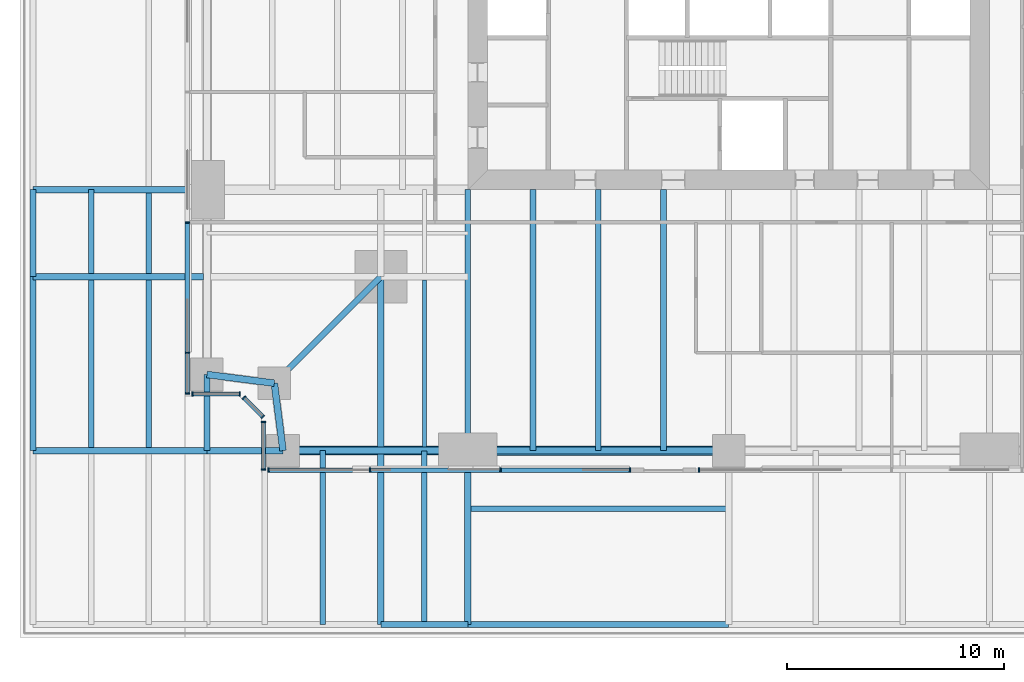
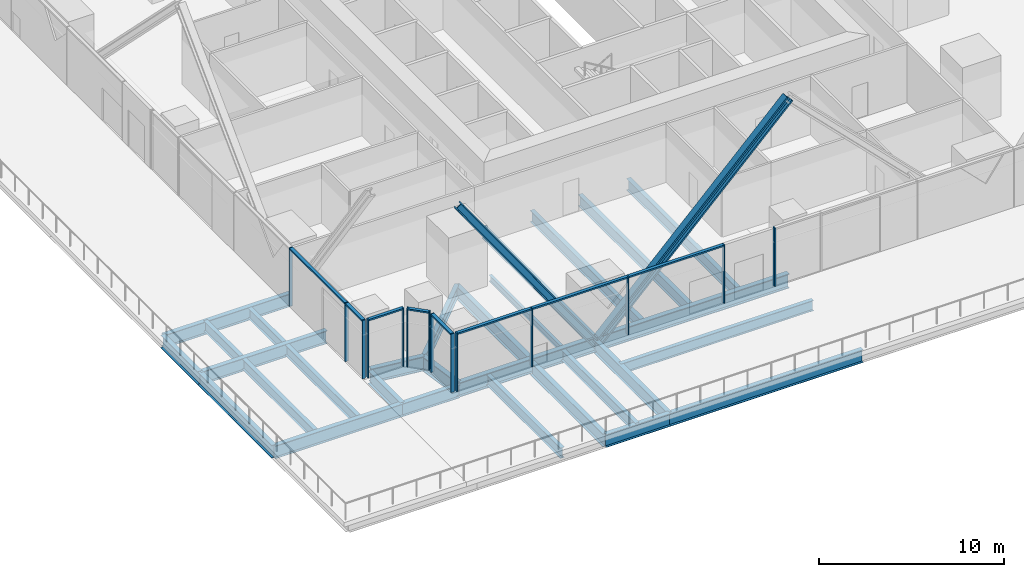
# One storey, part 2 of 21: 29 beams, 24 members, 6 elements without a shape of their own.
"""IFC4 building model written with IfcOpenShell, lengths in metres."""

from ifc_helpers import new_model, si_unit, direction, frame, origin, origin_2d, place, context, subcontext, project, spatial, rectangle, i_section, extrude, material, material_profile, profile_set, type_object, element, aggregate, save


model = new_model("IFC4")

# Units and contexts
model_context = context("Model", 3, precision=1e-05, world=origin(), true_north=direction((0.0, 1.0)))
body_context = subcontext(model_context, "Body", "Model", "MODEL_VIEW")
ifc_project = project(units=[si_unit("LENGTHUNIT", "METRE"), si_unit("AREAUNIT", "SQUARE_METRE"), si_unit("VOLUMEUNIT", "CUBIC_METRE"), si_unit("PLANEANGLEUNIT", "RADIAN"), si_unit("MASSUNIT", "GRAM", prefix="KILO")], contexts=[model_context])

# Site, building, storey
site_placement = place(None, origin())
site = spatial("IfcSite", under=ifc_project, at=site_placement, CompositionType="ELEMENT")
building_placement = place(site_placement, origin())
building = spatial("IfcBuilding", under=site, at=building_placement, Name="Fenwick Lantern Interchange", CompositionType="ELEMENT")
storey_placement = place(building_placement, frame((0.0, 0.0, 31.0)))
storey = spatial("IfcBuildingStorey", under=building, at=storey_placement, Name="L06", CompositionType="ELEMENT", Elevation=31.0)

# Beams
ifc_material_1 = material(Name="Steel ASTM A992 Grade 50", Category="steel")
ifc_material_profile_1 = material_profile(ifc_material_1, i_section(OverallWidth=0.309814453125, OverallDepth=0.949951171875, WebThickness=0.0244140625, FlangeThickness=0.0439453125, at=origin_2d()), Name="W36X256")
ifc_profile_set_1 = profile_set([ifc_material_profile_1], Name="Steel ASTM A992 Grade 50")
beam_type_1 = type_object("IfcBeamType", Name="EDGE BEAM W36X256", PredefinedType="SPANDREL", material=ifc_profile_set_1)
beam_1_placement = place(storey_placement, frame((4.5, 1.0, -0.625), z_axis=(1.0, 0.0, 0.0), x_axis=(0.0, 1.0, 0.0)))
element("IfcBeam", 1, at=beam_1_placement, inside=storey, type_object=beam_type_1, Name="L06/FR/S/EB1", PredefinedType="SPANDREL", context=body_context, shape_type="SweptSolid", body=[
    extrude(i_section(OverallWidth=0.309814453125, OverallDepth=0.949951171875, WebThickness=0.0244140625, FlangeThickness=0.0439453125, at=origin_2d()), origin(), (0.0, 0.0, 1.0), 8.5),
])
beam_2_placement = place(storey_placement, frame((13.0, 1.0, -0.625), z_axis=(1.0, 0.0, 0.0), x_axis=(0.0, 1.0, 0.0)))
element("IfcBeam", 2, at=beam_2_placement, inside=storey, type_object=beam_type_1, Name="L06/FR/S/EB2", PredefinedType="SPANDREL", context=body_context, shape_type="SweptSolid", body=[
    extrude(i_section(OverallWidth=0.309814453125, OverallDepth=0.949951171875, WebThickness=0.0244140625, FlangeThickness=0.0439453125, at=origin_2d()), origin(), (0.0, 0.0, 1.0), 12.0),
])
for number, where, z_axis, x_axis, name in (
    (3, (1.0, 4.5, -0.625), (0.991782342897, -0.127936641807, 0.0), (0.127936641807, 0.991782342897, 0.0), "L06/FR/W/EBR1"),
    (4, (4.10009765625, 4.10009765625, -0.625), (0.127936641807, -0.991782342897, 0.0), (0.991782342897, 0.127936641807, 0.0), "L06/FR/W/EBR2"),
):
    element("IfcBeam", number, at=place(storey_placement, frame(where, z_axis=z_axis, x_axis=x_axis)), inside=storey, type_object=beam_type_1, Name=name, PredefinedType="SPANDREL", context=body_context, shape_type="SweptSolid", body=[
        extrude(i_section(OverallWidth=0.309814453125, OverallDepth=0.949951171875, WebThickness=0.0244140625, FlangeThickness=0.0439453125, at=origin_2d()), origin(), (0.0, 0.0, 1.0), 3.125732421875),
    ])

# Members
ifc_material_profile_2 = material_profile(ifc_material_1, i_section(OverallWidth=0.424072265625, OverallDepth=0.47509765625, WebThickness=0.0478515625, FlangeThickness=0.0771484375, at=origin_2d()), Name="W14X426")
ifc_profile_set_2 = profile_set([ifc_material_profile_2], Name="Steel ASTM A992 Grade 50")
member_type_1 = type_object("IfcMemberType", Name="FACADE BRACE W14X426", PredefinedType="BRACE", material=ifc_profile_set_2)
member_1_placement = place(storey_placement, frame((13.0, 1.0, -0.625), z_axis=(-0.577407021852, 0.0, 0.816456447776), x_axis=(0.0, -1.0, 0.0)))
element("IfcMember", 5, at=member_1_placement, inside=storey, type_object=member_type_1, Name="L06/FB/S/AE", PredefinedType="BRACE", context=body_context, shape_type="SweptSolid", body=[
    extrude(i_section(OverallWidth=0.424072265625, OverallDepth=0.47509765625, WebThickness=0.0478515625, FlangeThickness=0.0771484375, at=origin_2d()), origin(), (0.0, 0.0, 1.0), 14.720947265625),
])
ifc_material_profile_3 = material_profile(ifc_material_1, i_section(OverallWidth=0.44189453125, OverallDepth=0.53076171875, WebThickness=0.06591796875, FlangeThickness=0.105712890625, at=origin_2d()), Name="W14X605")
ifc_profile_set_3 = profile_set([ifc_material_profile_3], Name="Steel ASTM A992 Grade 50")
member_type_2 = type_object("IfcMemberType", Name="FACADE BRACE W14X605", PredefinedType="BRACE", material=ifc_profile_set_3)
member_2_placement = place(storey_placement, frame((13.0, 1.0, -0.625), z_axis=(0.706545945103, 0.0, 0.707667172799), x_axis=(0.0, 1.0, 0.0)))
element("IfcMember", 6, at=member_2_placement, inside=storey, type_object=member_type_2, Name="L06/FB/S/A", PredefinedType="BRACE", context=body_context, shape_type="SweptSolid", body=[
    extrude(i_section(OverallWidth=0.44189453125, OverallDepth=0.53076171875, WebThickness=0.06591796875, FlangeThickness=0.105712890625, at=origin_2d()), origin(), (0.0, 0.0, 1.0), 16.984130859375),
])

# Beams
ifc_material_profile_4 = material_profile(ifc_material_1, i_section(OverallWidth=0.2666015625, OverallDepth=0.7568359375, WebThickness=0.013916015625, FlangeThickness=0.019287109375, at=origin_2d()), Name="W30X108")
ifc_profile_set_4 = profile_set([ifc_material_profile_4], Name="Steel ASTM A992 Grade 50")
beam_type_2 = type_object("IfcBeamType", Name="FLOOR BEAM W30X108", PredefinedType="BEAM", material=ifc_profile_set_4)
for number, where, z_axis, x_axis, name in (
    (7, (16.0, 1.0, -0.528564453125), (0.0, 1.0, 0.0), (-1.0, 0.0, 0.0), "L06/FR/S/R02"),
    (8, (19.0, 1.0, -0.528564453125), (0.0, 1.0, 0.0), (-1.0, 0.0, 0.0), "L06/FR/S/R03"),
    (9, (22.0, 1.0, -0.528564453125), (0.0, 1.0, 0.0), (-1.0, 0.0, 0.0), "L06/FR/S/R04"),
):
    element("IfcBeam", number, at=place(storey_placement, frame(where, z_axis=z_axis, x_axis=x_axis)), inside=storey, type_object=beam_type_2, Name=name, PredefinedType="BEAM", context=body_context, shape_type="SweptSolid", body=[
        extrude(i_section(OverallWidth=0.2666015625, OverallDepth=0.7568359375, WebThickness=0.013916015625, FlangeThickness=0.019287109375, at=origin_2d()), origin(), (0.0, 0.0, 1.0), 12.0),
    ])
ifc_material_profile_5 = material_profile(ifc_material_1, i_section(OverallWidth=0.177734375, OverallDepth=0.406494140625, WebThickness=0.0078125, FlangeThickness=0.012939453125, at=origin_2d()), Name="W16X40")
ifc_profile_set_5 = profile_set([ifc_material_profile_5], Name="Steel ASTM A992 Grade 50")
beam_type_3 = type_object("IfcBeamType", Name="INFILL BEAM W16X40", PredefinedType="JOIST", material=ifc_profile_set_5)
beam_3_placement = place(storey_placement, frame((11.0, 1.155029296875, -0.353271484375), z_axis=(0.0, 1.0, 0.0), x_axis=(-1.0, 0.0, 0.0)))
element("IfcBeam", 10, at=beam_3_placement, inside=storey, type_object=beam_type_3, Name="L06/FR/S/J1", PredefinedType="JOIST", context=body_context, shape_type="SweptSolid", body=[
    extrude(i_section(OverallWidth=0.177734375, OverallDepth=0.406494140625, WebThickness=0.0078125, FlangeThickness=0.012939453125, at=origin_2d()), origin(), (0.0, 0.0, 1.0), 7.698974609375),
])
ifc_material_profile_6 = material_profile(ifc_material_1, i_section(OverallWidth=0.2919921875, OverallDepth=0.845703125, WebThickness=0.015380859375, FlangeThickness=0.0244140625, at=origin_2d()), Name="W33X141")
ifc_profile_set_6 = profile_set([ifc_material_profile_6], Name="Steel ASTM A992 Grade 50")
beam_type_4 = type_object("IfcBeamType", Name="MEGA COLUMN BEAM W33X141", PredefinedType="BEAM", material=ifc_profile_set_6)
beam_4_placement = place(storey_placement, frame((9.0, 9.0, -0.572998046875), z_axis=(0.0, -1.0, 0.0), x_axis=(1.0, 0.0, 0.0)))
element("IfcBeam", 11, at=beam_4_placement, inside=storey, type_object=beam_type_4, Name="L06/FR/S/MB1", PredefinedType="BEAM", context=body_context, shape_type="SweptSolid", body=[
    extrude(i_section(OverallWidth=0.2919921875, OverallDepth=0.845703125, WebThickness=0.015380859375, FlangeThickness=0.0244140625, at=origin_2d()), origin(), (0.0, 0.0, 1.0), 7.844970703125),
])
ifc_material_profile_7 = material_profile(ifc_material_1, i_section(OverallWidth=0.2666015625, OverallDepth=0.76953125, WebThickness=0.015625, FlangeThickness=0.025390625, at=origin_2d()), Name="W30X132")
ifc_profile_set_7 = profile_set([ifc_material_profile_7], Name="Steel ASTM A992 Grade 50")
beam_type_5 = type_object("IfcBeamType", Name="MOMENT-CONNECTED GIRDER W30X132", PredefinedType="BEAM", material=ifc_profile_set_7)
beam_5_placement = place(storey_placement, frame((13.0, 1.0, -0.534912109375), z_axis=(0.0, 1.0, 0.0), x_axis=(-1.0, 0.0, 0.0)))
element("IfcBeam", 12, at=beam_5_placement, inside=storey, type_object=beam_type_5, Name="L06/FR/S/R01", PredefinedType="BEAM", context=body_context, shape_type="SweptSolid", body=[
    extrude(i_section(OverallWidth=0.2666015625, OverallDepth=0.76953125, WebThickness=0.015625, FlangeThickness=0.025390625, at=origin_2d()), origin(), (0.0, 0.0, 1.0), 12.0),
])
ifc_material_profile_8 = material_profile(ifc_material_1, i_section(OverallWidth=0.2919921875, OverallDepth=0.845703125, WebThickness=0.015380859375, FlangeThickness=0.0244140625, at=origin_2d()), Name="W33X141")
ifc_profile_set_8 = profile_set([ifc_material_profile_8], Name="Steel ASTM A992 Grade 50")
beam_type_6 = type_object("IfcBeamType", Name="MOMENT-CONNECTED PODIUM GIRDER W33X141", PredefinedType="BEAM", material=ifc_profile_set_8)
beam_6_placement = place(storey_placement, frame((9.0, -7.0, -0.722900390625), z_axis=(1.0, 0.0, 0.0), x_axis=(0.0, 1.0, 0.0)))
element("IfcBeam", 13, at=beam_6_placement, inside=storey, type_object=beam_type_6, Name="L06/PF/G003", PredefinedType="BEAM", context=body_context, shape_type="SweptSolid", body=[
    extrude(i_section(OverallWidth=0.2919921875, OverallDepth=0.845703125, WebThickness=0.015380859375, FlangeThickness=0.0244140625, at=origin_2d()), origin(), (0.0, 0.0, 1.0), 4.0),
])
beam_7_placement = place(storey_placement, frame((13.0, -7.0, -0.722900390625), z_axis=(1.0, 0.0, 0.0), x_axis=(0.0, 1.0, 0.0)))
element("IfcBeam", 14, at=beam_7_placement, inside=storey, type_object=beam_type_6, Name="L06/PF/G004", PredefinedType="BEAM", context=body_context, shape_type="SweptSolid", body=[
    extrude(i_section(OverallWidth=0.2919921875, OverallDepth=0.845703125, WebThickness=0.015380859375, FlangeThickness=0.0244140625, at=origin_2d()), origin(), (0.0, 0.0, 1.0), 12.0),
])
beam_8_placement = place(storey_placement, frame((-7.0, 1.0, -0.722900390625), z_axis=(1.0, 0.0, 0.0), x_axis=(0.0, 1.0, 0.0)))
element("IfcBeam", 15, at=beam_8_placement, inside=storey, type_object=beam_type_6, Name="L06/PF/G009", PredefinedType="BEAM", context=body_context, shape_type="SweptSolid", body=[
    extrude(i_section(OverallWidth=0.2919921875, OverallDepth=0.845703125, WebThickness=0.015380859375, FlangeThickness=0.0244140625, at=origin_2d()), origin(), (0.0, 0.0, 1.0), 8.0),
])
beam_9_placement = place(storey_placement, frame((1.0, 1.0, -0.722900390625), z_axis=(1.0, 0.0, 0.0), x_axis=(0.0, 1.0, 0.0)))
element("IfcBeam", 16, at=beam_9_placement, inside=storey, type_object=beam_type_6, Name="L06/PF/G010", PredefinedType="BEAM", context=body_context, shape_type="SweptSolid", body=[
    extrude(i_section(OverallWidth=0.2919921875, OverallDepth=0.845703125, WebThickness=0.015380859375, FlangeThickness=0.0244140625, at=origin_2d()), origin(), (0.0, 0.0, 1.0), 3.5),
])
beam_10_placement = place(storey_placement, frame((-7.0, 9.0, -0.722900390625), z_axis=(1.0, 0.0, 0.0), x_axis=(0.0, 1.0, 0.0)))
element("IfcBeam", 17, at=beam_10_placement, inside=storey, type_object=beam_type_6, Name="L06/PF/G013", PredefinedType="BEAM", context=body_context, shape_type="SweptSolid", body=[
    extrude(i_section(OverallWidth=0.2919921875, OverallDepth=0.845703125, WebThickness=0.015380859375, FlangeThickness=0.0244140625, at=origin_2d()), origin(), (0.0, 0.0, 1.0), 7.844970703125),
])
for number, where, z_axis, x_axis, name in (
    (18, (-7.0, 13.0, -0.722900390625), (1.0, 0.0, 0.0), (0.0, 1.0, 0.0), "L06/PF/G015"),
    (19, (-7.0, 1.0, -0.722900390625), (0.0, 1.0, 0.0), (-1.0, 0.0, 0.0), "L06/PF/G044"),
):
    element("IfcBeam", number, at=place(storey_placement, frame(where, z_axis=z_axis, x_axis=x_axis)), inside=storey, type_object=beam_type_6, Name=name, PredefinedType="BEAM", context=body_context, shape_type="SweptSolid", body=[
        extrude(i_section(OverallWidth=0.2919921875, OverallDepth=0.845703125, WebThickness=0.015380859375, FlangeThickness=0.0244140625, at=origin_2d()), origin(), (0.0, 0.0, 1.0), 8.0),
    ])
beam_11_placement = place(storey_placement, frame((-7.0, 9.0, -0.722900390625), z_axis=(0.0, 1.0, 0.0), x_axis=(-1.0, 0.0, 0.0)))
element("IfcBeam", 20, at=beam_11_placement, inside=storey, type_object=beam_type_6, Name="L06/PF/G045", PredefinedType="BEAM", context=body_context, shape_type="SweptSolid", body=[
    extrude(i_section(OverallWidth=0.2919921875, OverallDepth=0.845703125, WebThickness=0.015380859375, FlangeThickness=0.0244140625, at=origin_2d()), origin(), (0.0, 0.0, 1.0), 4.0),
])
beam_12_placement = place(storey_placement, frame((1.0, 1.0, -0.722900390625), z_axis=(0.0, 1.0, 0.0), x_axis=(-1.0, 0.0, 0.0)))
element("IfcBeam", 21, at=beam_12_placement, inside=storey, type_object=beam_type_6, Name="L06/PF/G053", PredefinedType="BEAM", context=body_context, shape_type="SweptSolid", body=[
    extrude(i_section(OverallWidth=0.2919921875, OverallDepth=0.845703125, WebThickness=0.015380859375, FlangeThickness=0.0244140625, at=origin_2d()), origin(), (0.0, 0.0, 1.0), 3.5),
])
beam_13_placement = place(storey_placement, frame((9.0, -7.0, -0.722900390625), z_axis=(0.0, 1.0, 0.0), x_axis=(-1.0, 0.0, 0.0)))
element("IfcBeam", 22, at=beam_13_placement, inside=storey, type_object=beam_type_6, Name="L06/PF/G057", PredefinedType="BEAM", context=body_context, shape_type="SweptSolid", body=[
    extrude(i_section(OverallWidth=0.2919921875, OverallDepth=0.845703125, WebThickness=0.015380859375, FlangeThickness=0.0244140625, at=origin_2d()), origin(), (0.0, 0.0, 1.0), 7.844970703125),
])
beam_14_placement = place(storey_placement, frame((13.0, -7.0, -0.722900390625), z_axis=(0.0, 1.0, 0.0), x_axis=(-1.0, 0.0, 0.0)))
element("IfcBeam", 23, at=beam_14_placement, inside=storey, type_object=beam_type_6, Name="L06/PF/G060", PredefinedType="BEAM", context=body_context, shape_type="SweptSolid", body=[
    extrude(i_section(OverallWidth=0.2919921875, OverallDepth=0.845703125, WebThickness=0.015380859375, FlangeThickness=0.0244140625, at=origin_2d()), origin(), (0.0, 0.0, 1.0), 8.0),
])
ifc_material_profile_9 = material_profile(ifc_material_1, i_section(OverallWidth=0.2666015625, OverallDepth=0.7568359375, WebThickness=0.013916015625, FlangeThickness=0.019287109375, at=origin_2d()), Name="W30X108")
ifc_profile_set_9 = profile_set([ifc_material_profile_9], Name="Steel ASTM A992 Grade 50")
beam_type_7 = type_object("IfcBeamType", Name="NOTCH BEAM W30X108", PredefinedType="BEAM", material=ifc_profile_set_9)
beam_15_placement = place(storey_placement, frame((9.0, 9.0, -0.528564453125), z_axis=(-0.707106781187, -0.707106781187, 0.0), x_axis=(0.707106781187, -0.707106781187, 0.0)))
element("IfcBeam", 24, at=beam_15_placement, inside=storey, type_object=beam_type_7, Name="L06/FR/S/TG", PredefinedType="BEAM", context=body_context, shape_type="SweptSolid", body=[
    extrude(i_section(OverallWidth=0.2666015625, OverallDepth=0.7568359375, WebThickness=0.013916015625, FlangeThickness=0.019287109375, at=origin_2d()), origin(), (0.0, 0.0, 1.0), 6.929443359375),
])

# Curtain wall, members
ifc_material_2 = material(Name="Aluminium curtain wall frame", Category="aluminium")
curtain_wall_type = type_object("IfcCurtainWallType", Name="OFFICE CURTAIN WALL", PredefinedType="USERDEFINED", material=ifc_material_2)
curtain_wall_1_placement = place(storey_placement, origin())
curtain_wall_1 = element("IfcCurtainWall", 25, at=curtain_wall_1_placement, inside=storey, type_object=curtain_wall_type, Name="Office curtain wall 01A", ObjectType="OFFICE CURTAIN WALL", PredefinedType="USERDEFINED")
ifc_material_3 = material(Name="Aluminium extrusion", Category="aluminium")
ifc_material_profile_10 = material_profile(ifc_material_3, rectangle(XDim=0.199951171875, YDim=0.06494140625, at=origin_2d()), Name="OFFICE CURTAIN WALL MULLION 65 X 200")
ifc_profile_set_10 = profile_set([ifc_material_profile_10], Name="Aluminium extrusion")
member_type_3 = type_object("IfcMemberType", Name="OFFICE CURTAIN WALL MULLION 65 X 200", PredefinedType="MULLION", material=ifc_profile_set_10)
member_3_placement = place(storey_placement, frame((3.83251953125, 0.10009765625, 0.0), z_axis=(0.0, 0.0, 1.0), x_axis=(0.0, 1.0, 0.0)))
member_3 = element("IfcMember", 26, at=member_3_placement, type_object=member_type_3, Name="L06/CW/01A/M00", PredefinedType="MULLION", context=body_context, shape_type="SweptSolid", body=[
    extrude(rectangle(XDim=0.199951171875, YDim=0.06494140625, at=origin_2d()), origin(), (0.0, 0.0, 1.0), 3.85009765625),
])
member_4_placement = place(storey_placement, frame((8.5, 0.10009765625, 0.0), z_axis=(0.0, 0.0, 1.0), x_axis=(0.0, 1.0, 0.0)))
member_4 = element("IfcMember", 27, at=member_4_placement, type_object=member_type_3, Name="L06/CW/01A/M01", PredefinedType="MULLION", context=body_context, shape_type="SweptSolid", body=[
    extrude(rectangle(XDim=0.199951171875, YDim=0.06494140625, at=origin_2d()), origin(), (0.0, 0.0, 1.0), 3.85009765625),
])
member_5_placement = place(storey_placement, frame((14.5, 0.10009765625, 0.0), z_axis=(0.0, 0.0, 1.0), x_axis=(0.0, 1.0, 0.0)))
member_5 = element("IfcMember", 28, at=member_5_placement, type_object=member_type_3, Name="L06/CW/01A/M02", PredefinedType="MULLION", context=body_context, shape_type="SweptSolid", body=[
    extrude(rectangle(XDim=0.199951171875, YDim=0.06494140625, at=origin_2d()), origin(), (0.0, 0.0, 1.0), 3.85009765625),
])
member_6_placement = place(storey_placement, frame((20.467529296875, 0.10009765625, 0.0), z_axis=(0.0, 0.0, 1.0), x_axis=(0.0, 1.0, 0.0)))
member_6 = element("IfcMember", 29, at=member_6_placement, type_object=member_type_3, Name="L06/CW/01A/M03", PredefinedType="MULLION", context=body_context, shape_type="SweptSolid", body=[
    extrude(rectangle(XDim=0.199951171875, YDim=0.06494140625, at=origin_2d()), origin(), (0.0, 0.0, 1.0), 3.85009765625),
])

# Curtain wall, member
curtain_wall_2_placement = place(storey_placement, origin())
curtain_wall_2 = element("IfcCurtainWall", 30, at=curtain_wall_2_placement, inside=storey, type_object=curtain_wall_type, Name="Office curtain wall 01B", ObjectType="OFFICE CURTAIN WALL", PredefinedType="USERDEFINED")
member_7_placement = place(storey_placement, frame((23.632568359375, 0.10009765625, 0.0), z_axis=(0.0, 0.0, 1.0), x_axis=(0.0, 1.0, 0.0)))
member_7 = element("IfcMember", 31, at=member_7_placement, type_object=member_type_3, Name="L06/CW/01B/M00", PredefinedType="MULLION", context=body_context, shape_type="SweptSolid", body=[
    extrude(rectangle(XDim=0.199951171875, YDim=0.06494140625, at=origin_2d()), origin(), (0.0, 0.0, 1.0), 3.85009765625),
])
aggregate(curtain_wall_2, [member_7])

# Curtain wall, members
curtain_wall_3_placement = place(storey_placement, origin())
curtain_wall_3 = element("IfcCurtainWall", 32, at=curtain_wall_3_placement, inside=storey, type_object=curtain_wall_type, Name="Office curtain wall 13B", ObjectType="OFFICE CURTAIN WALL", PredefinedType="USERDEFINED")
member_8_placement = place(storey_placement, frame((0.10009765625, 11.5, 0.0), z_axis=(0.0, 0.0, 1.0), x_axis=(1.0, 0.0, 0.0)))
member_8 = element("IfcMember", 33, at=member_8_placement, type_object=member_type_3, Name="L06/CW/13B/M03", PredefinedType="MULLION", context=body_context, shape_type="SweptSolid", body=[
    extrude(rectangle(XDim=0.199951171875, YDim=0.06494140625, at=origin_2d()), origin(), (0.0, 0.0, 1.0), 3.85009765625),
])
member_9_placement = place(storey_placement, frame((0.10009765625, 5.5, 0.0), z_axis=(0.0, 0.0, 1.0), x_axis=(1.0, 0.0, 0.0)))
member_9 = element("IfcMember", 34, at=member_9_placement, type_object=member_type_3, Name="L06/CW/13B/M04", PredefinedType="MULLION", context=body_context, shape_type="SweptSolid", body=[
    extrude(rectangle(XDim=0.199951171875, YDim=0.06494140625, at=origin_2d()), origin(), (0.0, 0.0, 1.0), 3.85009765625),
])
member_10_placement = place(storey_placement, frame((0.10009765625, 3.632568359375, 0.0), z_axis=(0.0, 0.0, 1.0), x_axis=(1.0, 0.0, 0.0)))
member_10 = element("IfcMember", 35, at=member_10_placement, type_object=member_type_3, Name="L06/CW/13B/M05", PredefinedType="MULLION", context=body_context, shape_type="SweptSolid", body=[
    extrude(rectangle(XDim=0.199951171875, YDim=0.06494140625, at=origin_2d()), origin(), (0.0, 0.0, 1.0), 3.85009765625),
])

curtain_wall_4_placement = place(storey_placement, origin())
curtain_wall_4 = element("IfcCurtainWall", 36, at=curtain_wall_4_placement, inside=storey, type_object=curtain_wall_type, Name="Office curtain wall 14", ObjectType="OFFICE CURTAIN WALL", PredefinedType="USERDEFINED")
member_11_placement = place(storey_placement, frame((0.33251953125, 3.60009765625, 0.0), z_axis=(0.0, 0.0, 1.0), x_axis=(0.0, 1.0, 0.0)))
member_11 = element("IfcMember", 37, at=member_11_placement, type_object=member_type_3, Name="L06/CW/14/M00", PredefinedType="MULLION", context=body_context, shape_type="SweptSolid", body=[
    extrude(rectangle(XDim=0.199951171875, YDim=0.06494140625, at=origin_2d()), origin(), (0.0, 0.0, 1.0), 3.85009765625),
])
member_12_placement = place(storey_placement, frame((2.509033203125, 3.60009765625, 0.0), z_axis=(0.0, 0.0, 1.0), x_axis=(0.0, 1.0, 0.0)))
member_12 = element("IfcMember", 38, at=member_12_placement, type_object=member_type_3, Name="L06/CW/14/M01", PredefinedType="MULLION", context=body_context, shape_type="SweptSolid", body=[
    extrude(rectangle(XDim=0.199951171875, YDim=0.06494140625, at=origin_2d()), origin(), (0.0, 0.0, 1.0), 3.85009765625),
])

curtain_wall_5_placement = place(storey_placement, origin())
curtain_wall_5 = element("IfcCurtainWall", 39, at=curtain_wall_5_placement, inside=storey, type_object=curtain_wall_type, Name="Office curtain wall 15", ObjectType="OFFICE CURTAIN WALL", PredefinedType="USERDEFINED")
member_13_placement = place(storey_placement, frame((2.705810546875, 3.435546875, 0.0), z_axis=(0.0, 0.0, 1.0), x_axis=(0.707106781187, 0.707106781187, 0.0)))
member_13 = element("IfcMember", 40, at=member_13_placement, type_object=member_type_3, Name="L06/CW/15/M00", PredefinedType="MULLION", context=body_context, shape_type="SweptSolid", body=[
    extrude(rectangle(XDim=0.199951171875, YDim=0.06494140625, at=origin_2d()), origin(), (0.0, 0.0, 1.0), 3.85009765625),
])
member_14_placement = place(storey_placement, frame((3.576904296875, 2.564453125, 0.0), z_axis=(0.0, 0.0, 1.0), x_axis=(0.707106781187, 0.707106781187, 0.0)))
member_14 = element("IfcMember", 41, at=member_14_placement, type_object=member_type_3, Name="L06/CW/15/M01", PredefinedType="MULLION", context=body_context, shape_type="SweptSolid", body=[
    extrude(rectangle(XDim=0.199951171875, YDim=0.06494140625, at=origin_2d()), origin(), (0.0, 0.0, 1.0), 3.85009765625),
])

curtain_wall_6_placement = place(storey_placement, origin())
curtain_wall_6 = element("IfcCurtainWall", 42, at=curtain_wall_6_placement, inside=storey, type_object=curtain_wall_type, Name="Office curtain wall 16", ObjectType="OFFICE CURTAIN WALL", PredefinedType="USERDEFINED")
member_15_placement = place(storey_placement, frame((3.60009765625, 2.308837890625, 0.0), z_axis=(0.0, 0.0, 1.0), x_axis=(1.0, 0.0, 0.0)))
member_15 = element("IfcMember", 43, at=member_15_placement, type_object=member_type_3, Name="L06/CW/16/M00", PredefinedType="MULLION", context=body_context, shape_type="SweptSolid", body=[
    extrude(rectangle(XDim=0.199951171875, YDim=0.06494140625, at=origin_2d()), origin(), (0.0, 0.0, 1.0), 3.85009765625),
])
member_16_placement = place(storey_placement, frame((3.60009765625, 0.132568359375, 0.0), z_axis=(0.0, 0.0, 1.0), x_axis=(1.0, 0.0, 0.0)))
member_16 = element("IfcMember", 44, at=member_16_placement, type_object=member_type_3, Name="L06/CW/16/M01", PredefinedType="MULLION", context=body_context, shape_type="SweptSolid", body=[
    extrude(rectangle(XDim=0.199951171875, YDim=0.06494140625, at=origin_2d()), origin(), (0.0, 0.0, 1.0), 3.85009765625),
])

# Member
ifc_material_profile_11 = material_profile(ifc_material_3, rectangle(XDim=0.199951171875, YDim=0.10009765625, at=origin_2d()), Name="OFFICE CURTAIN WALL TRANSOM 100 X 200")
ifc_profile_set_11 = profile_set([ifc_material_profile_11], Name="Aluminium extrusion")
member_type_4 = type_object("IfcMemberType", Name="OFFICE CURTAIN WALL TRANSOM 100 X 200", PredefinedType="MULLION", material=ifc_profile_set_11)
member_17_placement = place(storey_placement, frame((3.864990234375, 0.10009765625, 3.800048828125), z_axis=(1.0, 0.0, 0.0), x_axis=(0.0, 1.0, 0.0)))
member_17 = element("IfcMember", 45, at=member_17_placement, type_object=member_type_4, Name="L06/CW/01A/T00", PredefinedType="MULLION", context=body_context, shape_type="SweptSolid", body=[
    extrude(rectangle(XDim=0.199951171875, YDim=0.10009765625, at=origin_2d()), origin(), (0.0, 0.0, 1.0), 4.6025390625),
])

member_18_placement = place(storey_placement, frame((8.532470703125, 0.10009765625, 3.800048828125), z_axis=(1.0, 0.0, 0.0), x_axis=(0.0, 1.0, 0.0)))
member_18 = element("IfcMember", 46, at=member_18_placement, type_object=member_type_4, Name="L06/CW/01A/T01", PredefinedType="MULLION", context=body_context, shape_type="SweptSolid", body=[
    extrude(rectangle(XDim=0.199951171875, YDim=0.10009765625, at=origin_2d()), origin(), (0.0, 0.0, 1.0), 5.93505859375),
])

member_19_placement = place(storey_placement, frame((14.532470703125, 0.10009765625, 3.800048828125), z_axis=(1.0, 0.0, 0.0), x_axis=(0.0, 1.0, 0.0)))
member_19 = element("IfcMember", 47, at=member_19_placement, type_object=member_type_4, Name="L06/CW/01A/T02", PredefinedType="MULLION", context=body_context, shape_type="SweptSolid", body=[
    extrude(rectangle(XDim=0.199951171875, YDim=0.10009765625, at=origin_2d()), origin(), (0.0, 0.0, 1.0), 5.902587890625),
])

aggregate(curtain_wall_1, [member_3, member_4, member_5, member_6, member_17, member_18, member_19])

member_20_placement = place(storey_placement, frame((0.10009765625, 11.467529296875, 3.800048828125), z_axis=(0.0, -1.0, 0.0), x_axis=(1.0, 0.0, 0.0)))
member_20 = element("IfcMember", 48, at=member_20_placement, type_object=member_type_4, Name="L06/CW/13B/T03", PredefinedType="MULLION", context=body_context, shape_type="SweptSolid", body=[
    extrude(rectangle(XDim=0.199951171875, YDim=0.10009765625, at=origin_2d()), origin(), (0.0, 0.0, 1.0), 5.93505859375),
])

member_21_placement = place(storey_placement, frame((0.10009765625, 5.467529296875, 3.800048828125), z_axis=(0.0, -1.0, 0.0), x_axis=(1.0, 0.0, 0.0)))
member_21 = element("IfcMember", 49, at=member_21_placement, type_object=member_type_4, Name="L06/CW/13B/T04", PredefinedType="MULLION", context=body_context, shape_type="SweptSolid", body=[
    extrude(rectangle(XDim=0.199951171875, YDim=0.10009765625, at=origin_2d()), origin(), (0.0, 0.0, 1.0), 1.802490234375),
])

aggregate(curtain_wall_3, [member_8, member_9, member_10, member_20, member_21])

member_22_placement = place(storey_placement, frame((0.364990234375, 3.60009765625, 3.800048828125), z_axis=(1.0, 0.0, 0.0), x_axis=(0.0, 1.0, 0.0)))
member_22 = element("IfcMember", 50, at=member_22_placement, type_object=member_type_4, Name="L06/CW/14/T00", PredefinedType="MULLION", context=body_context, shape_type="SweptSolid", body=[
    extrude(rectangle(XDim=0.199951171875, YDim=0.10009765625, at=origin_2d()), origin(), (0.0, 0.0, 1.0), 2.111328125),
])

aggregate(curtain_wall_4, [member_11, member_12, member_22])

member_23_placement = place(storey_placement, frame((2.728759765625, 3.41259765625, 3.800048828125), z_axis=(0.707106781187, -0.707106781187, 0.0), x_axis=(0.707106781187, 0.707106781187, 0.0)))
member_23 = element("IfcMember", 51, at=member_23_placement, type_object=member_type_4, Name="L06/CW/15/T00", PredefinedType="MULLION", context=body_context, shape_type="SweptSolid", body=[
    extrude(rectangle(XDim=0.199951171875, YDim=0.10009765625, at=origin_2d()), origin(), (0.0, 0.0, 1.0), 1.1669921875),
])

aggregate(curtain_wall_5, [member_13, member_14, member_23])

member_24_placement = place(storey_placement, frame((3.60009765625, 2.2763671875, 3.800048828125), z_axis=(0.0, -1.0, 0.0), x_axis=(1.0, 0.0, 0.0)))
member_24 = element("IfcMember", 52, at=member_24_placement, type_object=member_type_4, Name="L06/CW/16/T00", PredefinedType="MULLION", context=body_context, shape_type="SweptSolid", body=[
    extrude(rectangle(XDim=0.199951171875, YDim=0.10009765625, at=origin_2d()), origin(), (0.0, 0.0, 1.0), 2.111328125),
])

aggregate(curtain_wall_6, [member_15, member_16, member_24])

# Beams
ifc_material_profile_12 = material_profile(ifc_material_1, i_section(OverallWidth=0.25390625, OverallDepth=0.683349609375, WebThickness=0.012451171875, FlangeThickness=0.01904296875, at=origin_2d()), Name="W27X94")
ifc_profile_set_12 = profile_set([ifc_material_profile_12], Name="Steel ASTM A992 Grade 50")
beam_type_8 = type_object("IfcBeamType", Name="PODIUM BEAM W27X94", PredefinedType="JOIST", material=ifc_profile_set_12)
for number, where, z_axis, x_axis, name in (
    (53, (-4.333251953125, 1.14599609375, -0.6416015625), (0.0, 1.0, 0.0), (-1.0, 0.0, 0.0), "L06/PF/J088"),
    (54, (-1.666748046875, 1.14599609375, -0.6416015625), (0.0, 1.0, 0.0), (-1.0, 0.0, 0.0), "L06/PF/J089"),
):
    element("IfcBeam", number, at=place(storey_placement, frame(where, z_axis=z_axis, x_axis=x_axis)), inside=storey, type_object=beam_type_8, Name=name, PredefinedType="JOIST", context=body_context, shape_type="SweptSolid", body=[
        extrude(i_section(OverallWidth=0.25390625, OverallDepth=0.683349609375, WebThickness=0.012451171875, FlangeThickness=0.01904296875, at=origin_2d()), origin(), (0.0, 0.0, 1.0), 7.7080078125),
    ])
beam_16_placement = place(storey_placement, frame((-4.333251953125, 9.14599609375, -0.6416015625), z_axis=(0.0, 1.0, 0.0), x_axis=(-1.0, 0.0, 0.0)))
element("IfcBeam", 55, at=beam_16_placement, inside=storey, type_object=beam_type_8, Name="L06/PF/J090", PredefinedType="JOIST", context=body_context, shape_type="SweptSolid", body=[
    extrude(i_section(OverallWidth=0.25390625, OverallDepth=0.683349609375, WebThickness=0.012451171875, FlangeThickness=0.01904296875, at=origin_2d()), origin(), (0.0, 0.0, 1.0), 3.85400390625),
])
beam_17_placement = place(storey_placement, frame((-1.666748046875, 9.14599609375, -0.6416015625), z_axis=(0.0, 1.0, 0.0), x_axis=(-1.0, 0.0, 0.0)))
element("IfcBeam", 56, at=beam_17_placement, inside=storey, type_object=beam_type_8, Name="L06/PF/J091", PredefinedType="JOIST", context=body_context, shape_type="SweptSolid", body=[
    extrude(i_section(OverallWidth=0.25390625, OverallDepth=0.683349609375, WebThickness=0.012451171875, FlangeThickness=0.01904296875, at=origin_2d()), origin(), (0.0, 0.0, 1.0), 3.7080078125),
])
beam_18_placement = place(storey_placement, frame((6.333251953125, -7.0, -0.6416015625), z_axis=(0.0, 1.0, 0.0), x_axis=(-1.0, 0.0, 0.0)))
element("IfcBeam", 57, at=beam_18_placement, inside=storey, type_object=beam_type_8, Name="L06/PF/J103", PredefinedType="JOIST", context=body_context, shape_type="SweptSolid", body=[
    extrude(i_section(OverallWidth=0.25390625, OverallDepth=0.683349609375, WebThickness=0.012451171875, FlangeThickness=0.01904296875, at=origin_2d()), origin(), (0.0, 0.0, 1.0), 8.0),
])
beam_19_placement = place(storey_placement, frame((11.0, -7.0, -0.6416015625), z_axis=(0.0, 1.0, 0.0), x_axis=(-1.0, 0.0, 0.0)))
element("IfcBeam", 58, at=beam_19_placement, inside=storey, type_object=beam_type_8, Name="L06/PF/J108", PredefinedType="JOIST", context=body_context, shape_type="SweptSolid", body=[
    extrude(i_section(OverallWidth=0.25390625, OverallDepth=0.683349609375, WebThickness=0.012451171875, FlangeThickness=0.01904296875, at=origin_2d()), origin(), (0.0, 0.0, 1.0), 7.98779296875),
])
beam_20_placement = place(storey_placement, frame((13.0, -1.666748046875, -0.6416015625), z_axis=(1.0, 0.0, 0.0), x_axis=(0.0, 1.0, 0.0)))
element("IfcBeam", 59, at=beam_20_placement, inside=storey, type_object=beam_type_8, Name="L06/PF/J111", PredefinedType="JOIST", context=body_context, shape_type="SweptSolid", body=[
    extrude(i_section(OverallWidth=0.25390625, OverallDepth=0.683349609375, WebThickness=0.012451171875, FlangeThickness=0.01904296875, at=origin_2d()), origin(), (0.0, 0.0, 1.0), 12.0),
])

save(model, "model.ifc")
